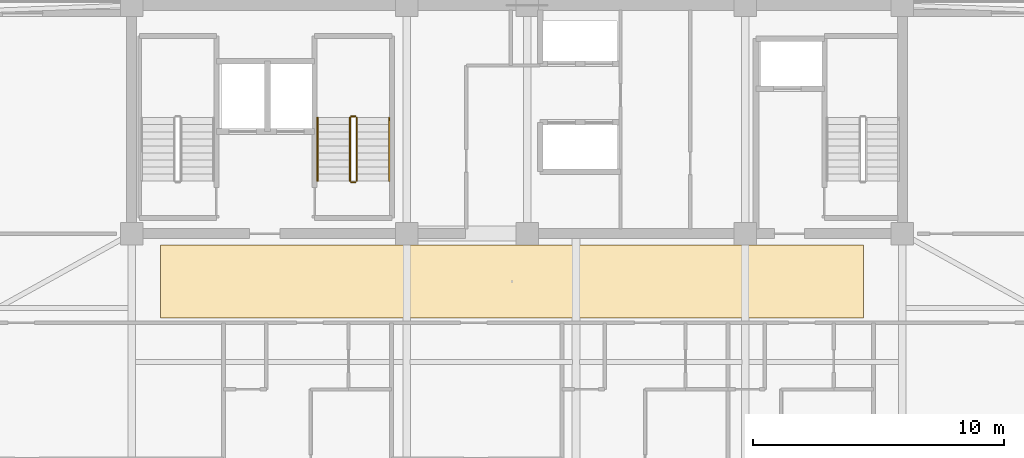
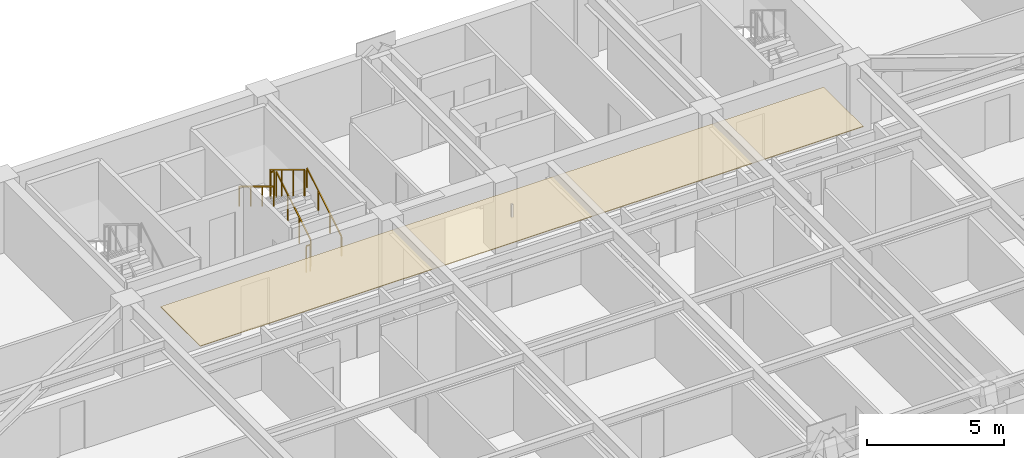
# One storey, part 16 of 18: 6 railings, 1 covering.
"""IFC4 building model written with IfcOpenShell, lengths in metres."""

from ifc_helpers import new_model, si_unit, direction, frame, origin, origin_2d, place, context, subcontext, project, spatial, polyline, rectangle, outline, extrude, material, layer, layer_set, type_object, element, save


model = new_model("IFC4")

# Units and contexts
model_context = context("Model", 3, precision=1e-05, world=origin(), true_north=direction((0.0, 1.0)))
body_context = subcontext(model_context, "Body", "Model", "MODEL_VIEW")
ifc_project = project(units=[si_unit("LENGTHUNIT", "METRE"), si_unit("AREAUNIT", "SQUARE_METRE"), si_unit("VOLUMEUNIT", "CUBIC_METRE"), si_unit("PLANEANGLEUNIT", "RADIAN"), si_unit("MASSUNIT", "GRAM", prefix="KILO")], contexts=[model_context])

# Site, building, storey
site_placement = place(None, origin())
site = spatial("IfcSite", under=ifc_project, at=site_placement, CompositionType="ELEMENT")
building_placement = place(site_placement, origin())
building = spatial("IfcBuilding", under=site, at=building_placement, Name="Giltprow Tower", CompositionType="ELEMENT")
storey_placement = place(building_placement, frame((0.0, 0.0, 265.5)))
storey = spatial("IfcBuildingStorey", under=building, at=storey_placement, Name="L68", CompositionType="ELEMENT", Elevation=265.5)

# Covering
ifc_material_1 = material(Name="Painted gypsum board", Category="gypsum")
ifc_layer = layer(ifc_material_1, 0.030029296875, Name="Painted gypsum board")
ifc_layer_set = layer_set([ifc_layer], Name="Painted gypsum board")
covering_type = type_object("IfcCoveringType", Name="COV-CLG-GYPSUM", PredefinedType="CEILING", material=ifc_layer_set)
covering_placement = place(storey_placement, frame((0.0, 0.0, 2.6201171875)))
element("IfcCovering", 1, at=covering_placement, inside=storey, type_object=covering_type, Name="L68 Residence Gallery Ceiling", PredefinedType="CEILING", context=body_context, shape_type="SweptSolid", body=[
    extrude(outline(polyline([(21.0, 34.10009765625), (49.0, 34.10009765625), (49.0, 37.0), (21.0, 37.0), (21.0, 34.10009765625)])), origin(), (0.0, 0.0, 1.0), 0.02978515625),
])

# Railings
ifc_material_2 = material(Name="Anodized bronze", Category="metal")
railing_type_1 = type_object("IfcRailingType", Name="RAIL-STAIR-GUARD-1200", PredefinedType="GUARDRAIL", material=ifc_material_2)
railing_1_placement = place(storey_placement, frame((28.81005859375, 39.550048828125, 0.169921875)))
element("IfcRailing", 2, at=railing_1_placement, inside=storey, type_object=railing_type_1, Name="L68 ST-2 stair guard 1", PredefinedType="GUARDRAIL", context=body_context, shape_type="SweptSolid", body=[
    extrude(rectangle(XDim=0.048095703125, YDim=0.048095703125, at=origin_2d()), frame((0.0, 0.0, 1.17578125), z_axis=(0.0, 0.85478489116, 0.518982456201), x_axis=(-1.0, 0.0, 0.0)), (0.0, 0.0, 1.0), 2.9482421875),
    extrude(rectangle(XDim=0.0419921875, YDim=0.0419921875, at=origin_2d()), origin(), (0.0, 0.0, 1.0), 1.15185546875),
    extrude(rectangle(XDim=0.0419921875, YDim=0.0419921875, at=origin_2d()), frame((0.0, 0.840087890625, 0.510009765625)), (0.0, 0.0, 1.0), 1.15185546875),
    extrude(rectangle(XDim=0.0419921875, YDim=0.0419921875, at=origin_2d()), frame((0.0, 1.679931640625, 1.02001953125)), (0.0, 0.0, 1.0), 1.15185546875),
    extrude(rectangle(XDim=0.0419921875, YDim=0.0419921875, at=origin_2d()), frame((0.0, 2.52001953125, 1.530029296875)), (0.0, 0.0, 1.0), 1.15185546875),
])
railing_2_placement = place(storey_placement, frame((28.760009765625, 42.1201171875, 1.699951171875)))
element("IfcRailing", 3, at=railing_2_placement, inside=storey, type_object=railing_type_1, Name="L68 ST-2 stair guard 2", PredefinedType="GUARDRAIL", context=body_context, shape_type="SweptSolid", body=[
    extrude(rectangle(XDim=0.048095703125, YDim=0.048095703125, at=origin_2d()), frame((0.0, 0.0, 1.17578125), z_axis=(-1.0, 0.0, 0.0), x_axis=(0.0, -1.0, 0.0)), (0.0, 0.0, 1.0), 0.159912109375),
    extrude(rectangle(XDim=0.0419921875, YDim=0.0419921875, at=origin_2d()), origin(), (0.0, 0.0, 1.0), 1.15185546875),
    extrude(rectangle(XDim=0.0419921875, YDim=0.0419921875, at=origin_2d()), frame((-0.159912109375, 0.0, 0.0)), (0.0, 0.0, 1.0), 1.15185546875),
])
railing_3_placement = place(storey_placement, frame((28.550048828125, 42.070068359375, 1.8701171875)))
element("IfcRailing", 4, at=railing_3_placement, inside=storey, type_object=railing_type_1, Name="L68 ST-2 stair guard 3", PredefinedType="GUARDRAIL", context=body_context, shape_type="SweptSolid", body=[
    extrude(rectangle(XDim=0.048095703125, YDim=0.048095703125, at=origin_2d()), frame((0.0, 0.0, 1.17578125), z_axis=(0.0, -0.854821627497, 0.518921945155), x_axis=(1.0, 0.0, 0.0)), (0.0, 0.0, 1.0), 2.947998046875),
    extrude(rectangle(XDim=0.0419921875, YDim=0.0419921875, at=origin_2d()), origin(), (0.0, 0.0, 1.0), 1.15185546875),
    extrude(rectangle(XDim=0.0419921875, YDim=0.0419921875, at=origin_2d()), frame((0.0, -0.840087890625, 0.510009765625)), (0.0, 0.0, 1.0), 1.15185546875),
    extrude(rectangle(XDim=0.0419921875, YDim=0.0419921875, at=origin_2d()), frame((0.0, -1.679931640625, 1.019775390625)), (0.0, 0.0, 1.0), 1.15185546875),
    extrude(rectangle(XDim=0.0419921875, YDim=0.0419921875, at=origin_2d()), frame((0.0, -2.52001953125, 1.52978515625)), (0.0, 0.0, 1.0), 1.15185546875),
])
railing_4_placement = place(storey_placement, frame((28.760009765625, 39.5, 0.0)))
element("IfcRailing", 5, at=railing_4_placement, inside=storey, type_object=railing_type_1, Name="L68 ST-2 stair guard 4", PredefinedType="GUARDRAIL", context=body_context, shape_type="SweptSolid", body=[
    extrude(rectangle(XDim=0.048095703125, YDim=0.048095703125, at=origin_2d()), frame((0.0, 0.0, 1.17578125), z_axis=(-1.0, 0.0, 0.0), x_axis=(0.0, -1.0, 0.0)), (0.0, 0.0, 1.0), 0.159912109375),
    extrude(rectangle(XDim=0.0419921875, YDim=0.0419921875, at=origin_2d()), origin(), (0.0, 0.0, 1.0), 1.15185546875),
    extrude(rectangle(XDim=0.0419921875, YDim=0.0419921875, at=origin_2d()), frame((-0.159912109375, 0.0, 0.0)), (0.0, 0.0, 1.0), 1.15185546875),
])
railing_type_2 = type_object("IfcRailingType", Name="RAIL-STAIR-HAND-900", PredefinedType="HANDRAIL", material=ifc_material_2)
railing_5_placement = place(storey_placement, frame((30.110107421875, 39.550048828125, 0.169921875)))
element("IfcRailing", 6, at=railing_5_placement, inside=storey, type_object=railing_type_2, Name="L68 ST-2 stair handrail 1", PredefinedType="HANDRAIL", context=body_context, shape_type="SweptSolid", body=[
    extrude(rectangle(XDim=0.048095703125, YDim=0.048095703125, at=origin_2d()), frame((0.0, 0.0, 0.8759765625), z_axis=(0.0, 0.85478489116, 0.518982456201), x_axis=(-1.0, 0.0, 0.0)), (0.0, 0.0, 1.0), 2.9482421875),
    extrude(rectangle(XDim=0.0419921875, YDim=0.0419921875, at=origin_2d()), origin(), (0.0, 0.0, 1.0), 0.851806640625),
    extrude(rectangle(XDim=0.0419921875, YDim=0.0419921875, at=origin_2d()), frame((0.0, 0.840087890625, 0.510009765625)), (0.0, 0.0, 1.0), 0.851806640625),
    extrude(rectangle(XDim=0.0419921875, YDim=0.0419921875, at=origin_2d()), frame((0.0, 1.679931640625, 1.02001953125)), (0.0, 0.0, 1.0), 0.851806640625),
    extrude(rectangle(XDim=0.0419921875, YDim=0.0419921875, at=origin_2d()), frame((0.0, 2.52001953125, 1.530029296875)), (0.0, 0.0, 1.0), 0.851806640625),
])
railing_6_placement = place(storey_placement, frame((27.25, 42.070068359375, 1.8701171875)))
element("IfcRailing", 7, at=railing_6_placement, inside=storey, type_object=railing_type_2, Name="L68 ST-2 stair handrail 2", PredefinedType="HANDRAIL", context=body_context, shape_type="SweptSolid", body=[
    extrude(rectangle(XDim=0.048095703125, YDim=0.048095703125, at=origin_2d()), frame((0.0, 0.0, 0.8759765625), z_axis=(0.0, -0.854821627497, 0.518921945155), x_axis=(1.0, 0.0, 0.0)), (0.0, 0.0, 1.0), 2.947998046875),
    extrude(rectangle(XDim=0.0419921875, YDim=0.0419921875, at=origin_2d()), origin(), (0.0, 0.0, 1.0), 0.851806640625),
    extrude(rectangle(XDim=0.0419921875, YDim=0.0419921875, at=origin_2d()), frame((0.0, -0.840087890625, 0.510009765625)), (0.0, 0.0, 1.0), 0.851806640625),
    extrude(rectangle(XDim=0.0419921875, YDim=0.0419921875, at=origin_2d()), frame((0.0, -1.679931640625, 1.019775390625)), (0.0, 0.0, 1.0), 0.851806640625),
    extrude(rectangle(XDim=0.0419921875, YDim=0.0419921875, at=origin_2d()), frame((0.0, -2.52001953125, 1.52978515625)), (0.0, 0.0, 1.0), 0.851806640625),
])

save(model, "model.ifc")
